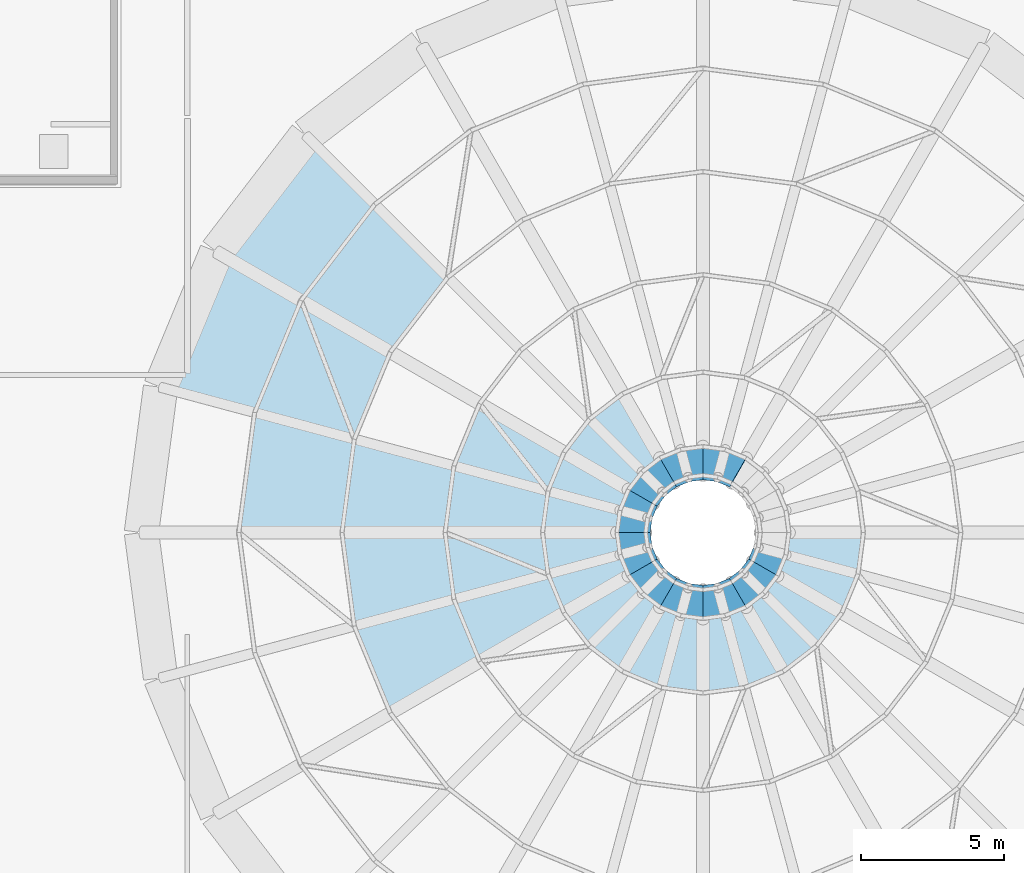
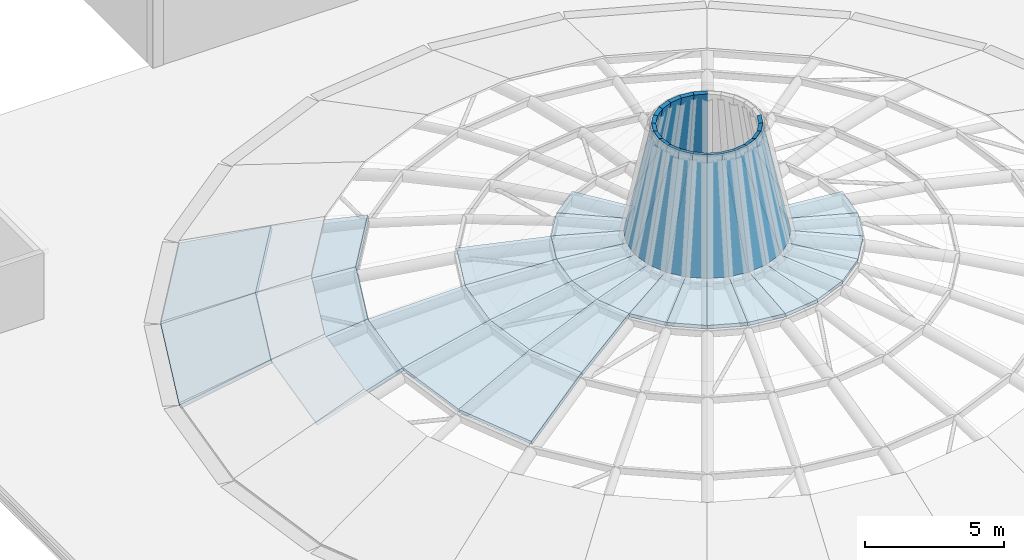
# One storey, part 18 of 25: 47 slabs.
"""IFC4 building model written with IfcOpenShell, lengths in metres."""

from ifc_helpers import new_model, si_unit, direction, frame, origin, place, context, subcontext, project, spatial, polyline, outline, extrude, material, layer, layer_set, type_object, element, save


model = new_model("IFC4")

# Units and contexts
model_context = context("Model", 3, precision=1e-05, world=origin(), true_north=direction((0.0, 1.0)))
body_context = subcontext(model_context, "Body", "Model", "MODEL_VIEW")
ifc_project = project(units=[si_unit("LENGTHUNIT", "METRE"), si_unit("AREAUNIT", "SQUARE_METRE"), si_unit("VOLUMEUNIT", "CUBIC_METRE"), si_unit("PLANEANGLEUNIT", "RADIAN"), si_unit("MASSUNIT", "GRAM", prefix="KILO")], contexts=[model_context])

# Site, building, storey
site_placement = place(None, origin())
site = spatial("IfcSite", under=ifc_project, at=site_placement, CompositionType="ELEMENT")
building_placement = place(site_placement, origin())
building = spatial("IfcBuilding", under=site, at=building_placement, Name="Marnock Terrace Opera House", CompositionType="ELEMENT")
storey_placement = place(building_placement, frame((0.0, 0.0, 28.199951171875)))
storey = spatial("IfcBuildingStorey", under=building, at=storey_placement, Name="RF", CompositionType="ELEMENT", Elevation=28.199951171875)

# Slabs
ifc_material = material(Name="Steel Grade 350 (AS/NZS 3679.1)", Category="steel")
ifc_layer = layer(ifc_material, 0.159912109375)
ifc_layer_set = layer_set([ifc_layer], Name="Steel Grade 350 (AS/NZS 3679.1)")
slab_type = type_object("IfcSlabType", Name="SL-CANOPY-160", PredefinedType="ROOF", material=ifc_layer_set)
slab_1_placement = place(storey_placement, frame((83.5, 63.09814453125, 4.09033203125), z_axis=(0.374475567418, 0.904158994644, 0.205583466774), x_axis=(-0.923896542167, 0.382642363262, 3.4766354e-05)))
element("IfcSlab", 1, at=slab_1_placement, inside=storey, type_object=slab_type, Name="Auditorium dome structural composite shell facet 5.6", PredefinedType="ROOF", context=body_context, shape_type="SweptSolid", body=[
    extrude(outline(polyline([(0.0, 0.0), (0.7831864088638076, 2.0816681711721685e-17), (0.652881049682843, 4.822719147483325), (0.13066335856125288, 4.822765522208235), (0.0, 0.0)])), origin(), (0.0, 0.0, -1.0), 0.159912109375),
])
slab_2_placement = place(storey_placement, frame((82.7763671875, 63.397705078125, 4.09033203125), z_axis=(0.127782069208, 0.970264995415, 0.205566489149), x_axis=(-0.991438666638, 0.130573236693, -1.2436782e-05)))
element("IfcSlab", 2, at=slab_2_placement, inside=storey, type_object=slab_type, Name="Auditorium dome structural composite shell facet 6.6", PredefinedType="ROOF", context=body_context, shape_type="SweptSolid", body=[
    extrude(outline(polyline([(0.0, 0.0), (0.7830774282429332, -3.469446951953614e-18), (0.6524454933396087, 4.8227330550329), (0.13040450058819125, 4.822716469341437), (0.0, 0.0)])), origin(), (0.0, 0.0, -1.0), 0.159912109375),
])
slab_3_placement = place(storey_placement, frame((82.0, 63.5, 4.09033203125), z_axis=(-0.127782069208, 0.970264995415, 0.205566489149), x_axis=(-0.991438666638, -0.130573236693, 1.2436782e-05)))
element("IfcSlab", 3, at=slab_3_placement, inside=storey, type_object=slab_type, Name="Auditorium dome structural composite shell facet 7.6", PredefinedType="ROOF", context=body_context, shape_type="SweptSolid", body=[
    extrude(outline(polyline([(0.0, 0.0), (0.7830774282429332, 3.469446951953614e-18), (0.6526729276547419, 4.822716469341437), (0.13063193490332464, 4.8227330550329), (0.0, 0.0)])), origin(), (0.0, 0.0, -1.0), 0.159912109375),
])
slab_4_placement = place(storey_placement, frame((81.2236328125, 63.397705078125, 4.09033203125), z_axis=(-0.374475567418, 0.904158994644, 0.205583466774), x_axis=(-0.923896542167, -0.382642363262, -3.4766354e-05)))
element("IfcSlab", 4, at=slab_4_placement, inside=storey, type_object=slab_type, Name="Auditorium dome structural composite shell facet 8.6", PredefinedType="ROOF", context=body_context, shape_type="SweptSolid", body=[
    extrude(outline(polyline([(0.0, 0.0), (0.7831864088638076, -2.0816681711721685e-17), (0.6525230503025549, 4.822765522208235), (0.13030535918096472, 4.822719147483325), (0.0, 0.0)])), origin(), (0.0, 0.0, -1.0), 0.159912109375),
])
slab_5_placement = place(storey_placement, frame((79.199951171875, 65.349853515625, 3.856201171875), z_axis=(-0.055074678697, 0.071757417591, 0.995900423128), x_axis=(-0.793257011145, -0.608886947022, 3.79547e-06)))
element("IfcSlab", 5, at=slab_5_placement, inside=storey, type_object=slab_type, Name="Auditorium dome structural composite shell facet 9.5", PredefinedType="ROOF", context=body_context, shape_type="SweptSolid", body=[
    extrude(outline(polyline([(0.0, 0.0), (1.461907375923908, 1.1102230246251565e-16), (1.122966227733173, 2.588283246330215), (0.3397642499744342, 2.5883774492033087), (0.0, 0.0)])), origin(), (0.0, 0.0, -1.0), 0.159912109375),
])
slab_6_placement = place(storey_placement, frame((80.5, 63.09814453125, 4.09033203125), z_axis=(-0.595642956884, 0.776495827628, 0.205581364889), x_axis=(-0.793438971, -0.608649815488, 3.7490848e-05)))
element("IfcSlab", 6, at=slab_6_placement, inside=storey, type_object=slab_type, Name="Auditorium dome structural composite shell facet 9.6", PredefinedType="ROOF", context=body_context, shape_type="SweptSolid", body=[
    extrude(outline(polyline([(0.0, 0.0), (0.7832019704204041, 2.7755575615628914e-17), (0.6527272093613997, 4.822715160368459), (0.1306765883320632, 4.8227651634590885), (0.0, 0.0)])), origin(), (0.0, 0.0, -1.0), 0.159912109375),
])
slab_7_placement = place(storey_placement, frame((68.140625, 74.359375, 0.0), z_axis=(-0.29826193601, 0.228864891661, 0.926639454638), x_axis=(-0.608752619373, -0.79336010007, 4.897854e-06)))
element("IfcSlab", 7, at=slab_7_placement, inside=storey, type_object=slab_type, Name="Auditorium dome structural composite shell facet 10.1", PredefinedType="ROOF", context=body_context, shape_type="SweptSolid", body=[
    extrude(outline(polyline([(0.0, 0.0), (5.116617261186224, 4.440892098500626e-16), (4.672776556182183, 3.637846656157696), (0.4438578876164122, 3.6379684088453303), (0.0, 0.0)])), origin(), (0.0, 0.0, -1.0), 0.159912109375),
])
slab_8_placement = place(storey_placement, frame((70.544921875, 71.955078125, 1.36767578125), z_axis=(-0.240038476037, 0.184199808034, 0.953127463009), x_axis=(-0.608776634926, -0.79334167214, 3.743486e-06)))
element("IfcSlab", 8, at=slab_8_placement, inside=storey, type_object=slab_type, Name="Auditorium dome structural composite shell facet 10.2", PredefinedType="ROOF", context=body_context, shape_type="SweptSolid", body=[
    extrude(outline(polyline([(0.0, 0.0), (4.228918670372289, -4.440892098500626e-16), (3.7590084882921224, 3.744740288991067), (0.4698430216180026, 3.7448333052382585), (0.0, 0.0)])), origin(), (0.0, 0.0, -1.0), 0.159912109375),
])
slab_9_placement = place(storey_placement, frame((78.040283203125, 64.459716796875, 3.856201171875), z_axis=(-0.071757417591, 0.055074678697, 0.995900423128), x_axis=(-0.608886947022, -0.793257011145, -3.79547e-06)))
element("IfcSlab", 9, at=slab_9_placement, inside=storey, type_object=slab_type, Name="Auditorium dome structural composite shell facet 10.5", PredefinedType="ROOF", context=body_context, shape_type="SweptSolid", body=[
    extrude(outline(polyline([(0.0, 0.0), (1.461907375923908, -1.1102230246251565e-16), (1.1221431259494739, 2.5883774492033083), (0.3389411481907352, 2.588283246330215), (0.0, 0.0)])), origin(), (0.0, 0.0, -1.0), 0.159912109375),
])
slab_10_placement = place(storey_placement, frame((79.878662109375, 62.621337890625, 4.09033203125), z_axis=(-0.776495827628, 0.595642956884, 0.205581364889), x_axis=(-0.608649815488, -0.793438971, -3.7490848e-05)))
element("IfcSlab", 10, at=slab_10_placement, inside=storey, type_object=slab_type, Name="Auditorium dome structural composite shell facet 10.6", PredefinedType="ROOF", context=body_context, shape_type="SweptSolid", body=[
    extrude(outline(polyline([(0.0, 0.0), (0.7832019704204041, -2.7755575615628914e-17), (0.6525253820883409, 4.8227651634590885), (0.13047476105900446, 4.822715160368459), (0.0, 0.0)])), origin(), (0.0, 0.0, -1.0), 0.159912109375),
])
slab_11_placement = place(storey_placement, frame((65.02587890625, 70.300048828125, 0.0), z_axis=(-0.347343037606, 0.143869374216, 0.926636076024), x_axis=(-0.382667294921, -0.923886216691, 2.278383e-06)))
element("IfcSlab", 11, at=slab_11_placement, inside=storey, type_object=slab_type, Name="Auditorium dome structural composite shell facet 11.1", PredefinedType="ROOF", context=body_context, shape_type="SweptSolid", body=[
    extrude(outline(polyline([(0.0, 0.0), (5.116748173599901, 0.0), (4.672914735409326, 3.6377986344936635), (0.4437700796566124, 3.6378552722876294), (0.0, 0.0)])), origin(), (0.0, 0.0, -1.0), 0.159912109375),
])
slab_12_placement = place(storey_placement, frame((67.970458984375, 68.60009765625, 1.36767578125), z_axis=(-0.279543308706, 0.115792692457, 0.953125170652), x_axis=(-0.382680659252, -0.923880681163, 2.952305e-06)))
element("IfcSlab", 12, at=slab_12_placement, inside=storey, type_object=slab_type, Name="Auditorium dome structural composite shell facet 11.2", PredefinedType="ROOF", context=body_context, shape_type="SweptSolid", body=[
    extrude(outline(polyline([(0.0, 0.0), (4.2291446561303925, -2.220446049250313e-16), (3.7591792633669576, 3.74466074673602), (0.46995945928101884, 3.7447341051070744), (0.0, 0.0)])), origin(), (0.0, 0.0, -1.0), 0.159912109375),
])
slab_13_placement = place(storey_placement, frame((74.205810546875, 65.0, 3.332763671875), z_axis=(-0.141765848874, 0.058719349731, 0.988157114056), x_axis=(-0.382702850106, -0.923871489167, -5.121992e-06)))
element("IfcSlab", 13, at=slab_13_placement, inside=storey, type_object=slab_type, Name="Auditorium dome structural composite shell facet 11.4", PredefinedType="ROOF", context=body_context, shape_type="SweptSolid", body=[
    extrude(outline(polyline([(0.0, 0.0), (2.3495205095504654, -2.220446049250313e-16), (1.9055515461194905, 3.4112913037863635), (0.4437279846787492, 3.411164081583303), (0.0, 0.0)])), origin(), (0.0, 0.0, -1.0), 0.159912109375),
])
slab_14_placement = place(storey_placement, frame((77.150146484375, 63.300048828125, 3.856201171875), z_axis=(-0.083570615643, 0.034604687598, 0.995900832311), x_axis=(-0.382621836577, -0.923905043906, -4.515537e-06)))
element("IfcSlab", 14, at=slab_14_placement, inside=storey, type_object=slab_type, Name="Auditorium dome structural composite shell facet 11.5", PredefinedType="ROOF", context=body_context, shape_type="SweptSolid", body=[
    extrude(outline(polyline([(0.0, 0.0), (1.4618235670125055, 0.0), (1.1227539973792038, 2.588515332254588), (0.3395675853635959, 2.588403256848199), (0.0, 0.0)])), origin(), (0.0, 0.0, -1.0), 0.159912109375),
])
slab_15_placement = place(storey_placement, frame((79.40185546875, 62.0, 4.09033203125), z_axis=(-0.904158994644, 0.374475567418, 0.205583466774), x_axis=(-0.382642363262, -0.923896542167, 3.4766354e-05)))
element("IfcSlab", 15, at=slab_15_placement, inside=storey, type_object=slab_type, Name="Auditorium dome structural composite shell facet 11.6", PredefinedType="ROOF", context=body_context, shape_type="SweptSolid", body=[
    extrude(outline(polyline([(0.0, 0.0), (0.7831864088638076, 2.0816681711721685e-17), (0.652881049682843, 4.822719147483325), (0.13066335856125288, 4.822765522208235), (0.0, 0.0)])), origin(), (0.0, 0.0, -1.0), 0.159912109375),
])
slab_16_placement = place(storey_placement, frame((66.35205078125, 64.69287109375, 1.36767578125), z_axis=(-0.299991977865, 0.039498485229, 0.953123645117), x_axis=(-0.130527320416, -0.991444712837, 3.583301e-06)))
element("IfcSlab", 16, at=slab_16_placement, inside=storey, type_object=slab_type, Name="Auditorium dome structural composite shell facet 12.2", PredefinedType="ROOF", context=body_context, shape_type="SweptSolid", body=[
    extrude(outline(polyline([(0.0, 0.0), (4.229051213310776, 0.0), (3.7591760401084025, 3.744593436700083), (0.46979224355405136, 3.7446824733688873), (0.0, 0.0)])), origin(), (0.0, 0.0, -1.0), 0.159912109375),
])
slab_17_placement = place(storey_placement, frame((69.829345703125, 63.76123046875, 2.500732421875), z_axis=(-0.225082224299, 0.029635482172, 0.973888972368), x_axis=(-0.130553532437, -0.991441261576, -3.531859e-06)))
element("IfcSlab", 17, at=slab_17_placement, inside=storey, type_object=slab_type, Name="Auditorium dome structural composite shell facet 12.3", PredefinedType="ROOF", context=body_context, shape_type="SweptSolid", body=[
    extrude(outline(polyline([(0.0, 0.0), (3.289383797776162, -5.551115123125783e-17), (2.8193753930162853, 3.6649790224264693), (0.46993293368056516, 3.664891298357737), (0.0, 0.0)])), origin(), (0.0, 0.0, -1.0), 0.159912109375),
])
slab_18_placement = place(storey_placement, frame((73.306640625, 62.829345703125, 3.332763671875), z_axis=(-0.152130426981, 0.020031128711, 0.988157420186), x_axis=(-0.130516988464, -0.991446073019, 4.228795e-06)))
element("IfcSlab", 18, at=slab_18_placement, inside=storey, type_object=slab_type, Name="Auditorium dome structural composite shell facet 12.4", PredefinedType="ROOF", context=body_context, shape_type="SweptSolid", body=[
    extrude(outline(polyline([(0.0, 0.0), (2.3494424609822224, 5.551115123125783e-17), (1.90569965951369, 3.4112190034482923), (0.44371733029213695, 3.411324043626475), (0.0, 0.0)])), origin(), (0.0, 0.0, -1.0), 0.159912109375),
])
slab_19_placement = place(storey_placement, frame((76.5908203125, 61.949462890625, 3.856201171875), z_axis=(-0.089677052395, 0.011813331132, 0.99590083416), x_axis=(-0.130588548151, -0.991436650064, 1.379021e-06)))
element("IfcSlab", 19, at=slab_19_placement, inside=storey, type_object=slab_type, Name="Auditorium dome structural composite shell facet 12.5", PredefinedType="ROOF", context=body_context, shape_type="SweptSolid", body=[
    extrude(outline(polyline([(0.0, 0.0), (1.4619823330281758, 2.7755575615628914e-17), (1.1224396779192098, 2.5884427493583617), (0.3393622489938082, 2.5884769773683693), (0.0, 0.0)])), origin(), (0.0, 0.0, -1.0), 0.159912109375),
])
slab_20_placement = place(storey_placement, frame((79.102294921875, 61.2763671875, 4.09033203125), z_axis=(-0.970264995415, 0.127782069208, 0.205566489149), x_axis=(-0.130573236693, -0.991438666638, -1.2436782e-05)))
element("IfcSlab", 20, at=slab_20_placement, inside=storey, type_object=slab_type, Name="Auditorium dome structural composite shell facet 12.6", PredefinedType="ROOF", context=body_context, shape_type="SweptSolid", body=[
    extrude(outline(polyline([(0.0, 0.0), (0.7830774282429332, -3.469446951953614e-18), (0.6524454933396087, 4.8227330550329), (0.13040450058819125, 4.822716469341437), (0.0, 0.0)])), origin(), (0.0, 0.0, -1.0), 0.159912109375),
])
slab_21_placement = place(storey_placement, frame((69.39990234375, 60.5, 2.500732421875), z_axis=(-0.225082224299, -0.029635482172, 0.973888972368), x_axis=(0.130553532437, -0.991441261576, 3.531859e-06)))
element("IfcSlab", 21, at=slab_21_placement, inside=storey, type_object=slab_type, Name="Auditorium dome structural composite shell facet 13.3", PredefinedType="ROOF", context=body_context, shape_type="SweptSolid", body=[
    extrude(outline(polyline([(0.0, 0.0), (3.289383797776162, 5.551115123125783e-17), (2.8194508640955966, 3.664891298357737), (0.4700084047598771, 3.6649790224264693), (0.0, 0.0)])), origin(), (0.0, 0.0, -1.0), 0.159912109375),
])
slab_22_placement = place(storey_placement, frame((73.0, 60.5, 3.332763671875), z_axis=(-0.152130426981, -0.020031128711, 0.988157420186), x_axis=(0.130516988464, -0.991446073019, -4.228795e-06)))
element("IfcSlab", 22, at=slab_22_placement, inside=storey, type_object=slab_type, Name="Auditorium dome structural composite shell facet 13.4", PredefinedType="ROOF", context=body_context, shape_type="SweptSolid", body=[
    extrude(outline(polyline([(0.0, 0.0), (2.3494424609822224, -5.551115123125783e-17), (1.905725130690085, 3.411324043626475), (0.44374280146853234, 3.4112190034482923), (0.0, 0.0)])), origin(), (0.0, 0.0, -1.0), 0.159912109375),
])
slab_23_placement = place(storey_placement, frame((76.39990234375, 60.5, 3.856201171875), z_axis=(-0.089677052395, -0.011813331132, 0.99590083416), x_axis=(0.130588548151, -0.991436650064, -1.379021e-06)))
element("IfcSlab", 23, at=slab_23_placement, inside=storey, type_object=slab_type, Name="Auditorium dome structural composite shell facet 13.5", PredefinedType="ROOF", context=body_context, shape_type="SweptSolid", body=[
    extrude(outline(polyline([(0.0, 0.0), (1.4619823330281758, -2.7755575615628914e-17), (1.1226200840343679, 2.5884769773683693), (0.33954265510896603, 2.5884427493583617), (0.0, 0.0)])), origin(), (0.0, 0.0, -1.0), 0.159912109375),
])
slab_24_placement = place(storey_placement, frame((79.0, 60.5, 4.09033203125), z_axis=(-0.970264995415, -0.127782069208, 0.205566489149), x_axis=(0.130573236693, -0.991438666638, 1.2436782e-05)))
element("IfcSlab", 24, at=slab_24_placement, inside=storey, type_object=slab_type, Name="Auditorium dome structural composite shell facet 13.6", PredefinedType="ROOF", context=body_context, shape_type="SweptSolid", body=[
    extrude(outline(polyline([(0.0, 0.0), (0.7830774282429332, 3.469446951953614e-18), (0.6526729276547419, 4.822716469341437), (0.13063193490332464, 4.8227330550329), (0.0, 0.0)])), origin(), (0.0, 0.0, -1.0), 0.159912109375),
])
slab_25_placement = place(storey_placement, frame((69.829345703125, 57.23876953125, 2.500732421875), z_axis=(-0.209743362037, -0.086883568143, 0.973888580726), x_axis=(0.382701458301, -0.923872065718, -2.16716e-07)))
element("IfcSlab", 25, at=slab_25_placement, inside=storey, type_object=slab_type, Name="Auditorium dome structural composite shell facet 14.3", PredefinedType="ROOF", context=body_context, shape_type="SweptSolid", body=[
    extrude(outline(polyline([(0.0, 0.0), (3.289219804929987, 2.220446049250313e-16), (2.8193438633762957, 3.6649107303114556), (0.46982335380054696, 3.6649053476592353), (0.0, 0.0)])), origin(), (0.0, 0.0, -1.0), 0.159912109375),
])
slab_26_placement = place(storey_placement, frame((73.306640625, 58.170654296875, 3.332763671875), z_axis=(-0.141765848874, -0.058719349731, 0.988157114056), x_axis=(0.382702850106, -0.923871489167, 5.121992e-06)))
element("IfcSlab", 26, at=slab_26_placement, inside=storey, type_object=slab_type, Name="Auditorium dome structural composite shell facet 14.4", PredefinedType="ROOF", context=body_context, shape_type="SweptSolid", body=[
    extrude(outline(polyline([(0.0, 0.0), (2.3495205095504654, 2.220446049250313e-16), (1.9057925248717162, 3.411164081583303), (0.443968963430975, 3.411291303786364), (0.0, 0.0)])), origin(), (0.0, 0.0, -1.0), 0.159912109375),
])
slab_27_placement = place(storey_placement, frame((76.5908203125, 59.050537109375, 3.856201171875), z_axis=(-0.083570615643, -0.034604687598, 0.995900832311), x_axis=(0.382621836577, -0.923905043906, 4.515537e-06)))
element("IfcSlab", 27, at=slab_27_placement, inside=storey, type_object=slab_type, Name="Auditorium dome structural composite shell facet 14.5", PredefinedType="ROOF", context=body_context, shape_type="SweptSolid", body=[
    extrude(outline(polyline([(0.0, 0.0), (1.4618235670125055, 0.0), (1.1222559816489095, 2.588403256848199), (0.3390695696333019, 2.588515332254588), (0.0, 0.0)])), origin(), (0.0, 0.0, -1.0), 0.159912109375),
])
slab_28_placement = place(storey_placement, frame((79.102294921875, 59.7236328125, 4.09033203125), z_axis=(-0.904158994644, -0.374475567418, 0.205583466774), x_axis=(0.382642363262, -0.923896542167, -3.4766354e-05)))
element("IfcSlab", 28, at=slab_28_placement, inside=storey, type_object=slab_type, Name="Auditorium dome structural composite shell facet 14.6", PredefinedType="ROOF", context=body_context, shape_type="SweptSolid", body=[
    extrude(outline(polyline([(0.0, 0.0), (0.7831864088638076, -2.0816681711721685e-17), (0.6525230503025549, 4.822765522208235), (0.13030535918096472, 4.822719147483325), (0.0, 0.0)])), origin(), (0.0, 0.0, -1.0), 0.159912109375),
])
slab_29_placement = place(storey_placement, frame((77.150146484375, 57.699951171875, 3.856201171875), z_axis=(-0.071757417591, -0.055074678697, 0.995900423128), x_axis=(0.608886947022, -0.793257011145, 3.79547e-06)))
element("IfcSlab", 29, at=slab_29_placement, inside=storey, type_object=slab_type, Name="Auditorium dome structural composite shell facet 15.5", PredefinedType="ROOF", context=body_context, shape_type="SweptSolid", body=[
    extrude(outline(polyline([(0.0, 0.0), (1.461907375923908, 1.1102230246251565e-16), (1.122966227733173, 2.588283246330215), (0.3397642499744342, 2.5883774492033087), (0.0, 0.0)])), origin(), (0.0, 0.0, -1.0), 0.159912109375),
])
slab_30_placement = place(storey_placement, frame((79.40185546875, 59.0, 4.09033203125), z_axis=(-0.776495827628, -0.595642956884, 0.205581364889), x_axis=(0.608649815488, -0.793438971, 3.7490848e-05)))
element("IfcSlab", 30, at=slab_30_placement, inside=storey, type_object=slab_type, Name="Auditorium dome structural composite shell facet 15.6", PredefinedType="ROOF", context=body_context, shape_type="SweptSolid", body=[
    extrude(outline(polyline([(0.0, 0.0), (0.7832019704204041, 2.7755575615628914e-17), (0.6527272093613997, 4.822715160368459), (0.1306765883320632, 4.8227651634590885), (0.0, 0.0)])), origin(), (0.0, 0.0, -1.0), 0.159912109375),
])
slab_31_placement = place(storey_placement, frame((78.040283203125, 56.540283203125, 3.856201171875), z_axis=(-0.055074678697, -0.071757417591, 0.995900423128), x_axis=(0.793257011145, -0.608886947022, -3.79547e-06)))
element("IfcSlab", 31, at=slab_31_placement, inside=storey, type_object=slab_type, Name="Auditorium dome structural composite shell facet 16.5", PredefinedType="ROOF", context=body_context, shape_type="SweptSolid", body=[
    extrude(outline(polyline([(0.0, 0.0), (1.461907375923908, -1.1102230246251565e-16), (1.1221431259494739, 2.5883774492033083), (0.3389411481907352, 2.588283246330215), (0.0, 0.0)])), origin(), (0.0, 0.0, -1.0), 0.159912109375),
])
slab_32_placement = place(storey_placement, frame((79.878662109375, 58.378662109375, 4.09033203125), z_axis=(-0.595642956884, -0.776495827628, 0.205581364889), x_axis=(0.793438971, -0.608649815488, -3.7490848e-05)))
element("IfcSlab", 32, at=slab_32_placement, inside=storey, type_object=slab_type, Name="Auditorium dome structural composite shell facet 16.6", PredefinedType="ROOF", context=body_context, shape_type="SweptSolid", body=[
    extrude(outline(polyline([(0.0, 0.0), (0.7832019704204041, -2.7755575615628914e-17), (0.6525253820883409, 4.8227651634590885), (0.13047476105900446, 4.822715160368459), (0.0, 0.0)])), origin(), (0.0, 0.0, -1.0), 0.159912109375),
])
slab_33_placement = place(storey_placement, frame((79.199951171875, 55.650146484375, 3.856201171875), z_axis=(-0.034604687598, -0.083570615643, 0.995900832311), x_axis=(0.923905043906, -0.382621836577, -4.515537e-06)))
element("IfcSlab", 33, at=slab_33_placement, inside=storey, type_object=slab_type, Name="Auditorium dome structural composite shell facet 17.5", PredefinedType="ROOF", context=body_context, shape_type="SweptSolid", body=[
    extrude(outline(polyline([(0.0, 0.0), (1.4618235670125055, 0.0), (1.1227539973792038, 2.588515332254588), (0.3395675853635959, 2.588403256848199), (0.0, 0.0)])), origin(), (0.0, 0.0, -1.0), 0.159912109375),
])
slab_34_placement = place(storey_placement, frame((80.5, 57.90185546875, 4.09033203125), z_axis=(-0.374475567418, -0.904158994644, 0.205583466774), x_axis=(0.923896542167, -0.382642363262, 3.4766354e-05)))
element("IfcSlab", 34, at=slab_34_placement, inside=storey, type_object=slab_type, Name="Auditorium dome structural composite shell facet 17.6", PredefinedType="ROOF", context=body_context, shape_type="SweptSolid", body=[
    extrude(outline(polyline([(0.0, 0.0), (0.7831864088638076, 2.0816681711721685e-17), (0.652881049682843, 4.822719147483325), (0.13066335856125288, 4.822765522208235), (0.0, 0.0)])), origin(), (0.0, 0.0, -1.0), 0.159912109375),
])
slab_35_placement = place(storey_placement, frame((80.550537109375, 55.0908203125, 3.856201171875), z_axis=(-0.011813331132, -0.089677052395, 0.99590083416), x_axis=(0.991436650064, -0.130588548151, 1.379021e-06)))
element("IfcSlab", 35, at=slab_35_placement, inside=storey, type_object=slab_type, Name="Auditorium dome structural composite shell facet 18.5", PredefinedType="ROOF", context=body_context, shape_type="SweptSolid", body=[
    extrude(outline(polyline([(0.0, 0.0), (1.4619823330281758, 2.7755575615628914e-17), (1.1224396779192098, 2.5884427493583617), (0.3393622489938082, 2.5884769773683693), (0.0, 0.0)])), origin(), (0.0, 0.0, -1.0), 0.159912109375),
])
slab_36_placement = place(storey_placement, frame((81.2236328125, 57.602294921875, 4.09033203125), z_axis=(-0.127782069208, -0.970264995415, 0.205566489149), x_axis=(0.991438666638, -0.130573236693, -1.2436782e-05)))
element("IfcSlab", 36, at=slab_36_placement, inside=storey, type_object=slab_type, Name="Auditorium dome structural composite shell facet 18.6", PredefinedType="ROOF", context=body_context, shape_type="SweptSolid", body=[
    extrude(outline(polyline([(0.0, 0.0), (0.7830774282429332, -3.469446951953614e-18), (0.6524454933396087, 4.8227330550329), (0.13040450058819125, 4.822716469341437), (0.0, 0.0)])), origin(), (0.0, 0.0, -1.0), 0.159912109375),
])
slab_37_placement = place(storey_placement, frame((82.0, 54.89990234375, 3.856201171875), z_axis=(0.011813331132, -0.089677052395, 0.99590083416), x_axis=(0.991436650064, 0.130588548151, -1.379021e-06)))
element("IfcSlab", 37, at=slab_37_placement, inside=storey, type_object=slab_type, Name="Auditorium dome structural composite shell facet 19.5", PredefinedType="ROOF", context=body_context, shape_type="SweptSolid", body=[
    extrude(outline(polyline([(0.0, 0.0), (1.4619823330281758, -2.7755575615628914e-17), (1.1226200840343679, 2.5884769773683693), (0.33954265510896603, 2.5884427493583617), (0.0, 0.0)])), origin(), (0.0, 0.0, -1.0), 0.159912109375),
])
slab_38_placement = place(storey_placement, frame((82.0, 57.5, 4.09033203125), z_axis=(0.127782069208, -0.970264995415, 0.205566489149), x_axis=(0.991438666638, 0.130573236693, 1.2436782e-05)))
element("IfcSlab", 38, at=slab_38_placement, inside=storey, type_object=slab_type, Name="Auditorium dome structural composite shell facet 19.6", PredefinedType="ROOF", context=body_context, shape_type="SweptSolid", body=[
    extrude(outline(polyline([(0.0, 0.0), (0.7830774282429332, 3.469446951953614e-18), (0.6526729276547419, 4.822716469341437), (0.13063193490332464, 4.8227330550329), (0.0, 0.0)])), origin(), (0.0, 0.0, -1.0), 0.159912109375),
])
slab_39_placement = place(storey_placement, frame((83.449462890625, 55.0908203125, 3.856201171875), z_axis=(0.034604687598, -0.083570615643, 0.995900832311), x_axis=(0.923905043906, 0.382621836577, 4.515537e-06)))
element("IfcSlab", 39, at=slab_39_placement, inside=storey, type_object=slab_type, Name="Auditorium dome structural composite shell facet 20.5", PredefinedType="ROOF", context=body_context, shape_type="SweptSolid", body=[
    extrude(outline(polyline([(0.0, 0.0), (1.4618235670125055, 0.0), (1.1222559816489095, 2.588403256848199), (0.3390695696333019, 2.588515332254588), (0.0, 0.0)])), origin(), (0.0, 0.0, -1.0), 0.159912109375),
])
slab_40_placement = place(storey_placement, frame((82.7763671875, 57.602294921875, 4.09033203125), z_axis=(0.374475567418, -0.904158994644, 0.205583466774), x_axis=(0.923896542167, 0.382642363262, -3.4766354e-05)))
element("IfcSlab", 40, at=slab_40_placement, inside=storey, type_object=slab_type, Name="Auditorium dome structural composite shell facet 20.6", PredefinedType="ROOF", context=body_context, shape_type="SweptSolid", body=[
    extrude(outline(polyline([(0.0, 0.0), (0.7831864088638076, -2.0816681711721685e-17), (0.6525230503025549, 4.822765522208235), (0.13030535918096472, 4.822719147483325), (0.0, 0.0)])), origin(), (0.0, 0.0, -1.0), 0.159912109375),
])
slab_41_placement = place(storey_placement, frame((84.800048828125, 55.650146484375, 3.856201171875), z_axis=(0.055074678697, -0.071757417591, 0.995900423128), x_axis=(0.793257011145, 0.608886947022, 3.79547e-06)))
element("IfcSlab", 41, at=slab_41_placement, inside=storey, type_object=slab_type, Name="Auditorium dome structural composite shell facet 21.5", PredefinedType="ROOF", context=body_context, shape_type="SweptSolid", body=[
    extrude(outline(polyline([(0.0, 0.0), (1.461907375923908, 1.1102230246251565e-16), (1.122966227733173, 2.588283246330215), (0.3397642499744342, 2.5883774492033087), (0.0, 0.0)])), origin(), (0.0, 0.0, -1.0), 0.159912109375),
])
slab_42_placement = place(storey_placement, frame((83.5, 57.90185546875, 4.09033203125), z_axis=(0.595642956884, -0.776495827628, 0.205581364889), x_axis=(0.793438971, 0.608649815488, 3.7490848e-05)))
element("IfcSlab", 42, at=slab_42_placement, inside=storey, type_object=slab_type, Name="Auditorium dome structural composite shell facet 21.6", PredefinedType="ROOF", context=body_context, shape_type="SweptSolid", body=[
    extrude(outline(polyline([(0.0, 0.0), (0.7832019704204041, 2.7755575615628914e-17), (0.6527272093613997, 4.822715160368459), (0.1306765883320632, 4.8227651634590885), (0.0, 0.0)])), origin(), (0.0, 0.0, -1.0), 0.159912109375),
])
slab_43_placement = place(storey_placement, frame((85.959716796875, 56.540283203125, 3.856201171875), z_axis=(0.071757417591, -0.055074678697, 0.995900423128), x_axis=(0.608886947022, 0.793257011145, -3.79547e-06)))
element("IfcSlab", 43, at=slab_43_placement, inside=storey, type_object=slab_type, Name="Auditorium dome structural composite shell facet 22.5", PredefinedType="ROOF", context=body_context, shape_type="SweptSolid", body=[
    extrude(outline(polyline([(0.0, 0.0), (1.461907375923908, -1.1102230246251565e-16), (1.1221431259494739, 2.5883774492033083), (0.3389411481907352, 2.588283246330215), (0.0, 0.0)])), origin(), (0.0, 0.0, -1.0), 0.159912109375),
])
slab_44_placement = place(storey_placement, frame((84.121337890625, 58.378662109375, 4.09033203125), z_axis=(0.776495827628, -0.595642956884, 0.205581364889), x_axis=(0.608649815488, 0.793438971, -3.7490848e-05)))
element("IfcSlab", 44, at=slab_44_placement, inside=storey, type_object=slab_type, Name="Auditorium dome structural composite shell facet 22.6", PredefinedType="ROOF", context=body_context, shape_type="SweptSolid", body=[
    extrude(outline(polyline([(0.0, 0.0), (0.7832019704204041, -2.7755575615628914e-17), (0.6525253820883409, 4.8227651634590885), (0.13047476105900446, 4.822715160368459), (0.0, 0.0)])), origin(), (0.0, 0.0, -1.0), 0.159912109375),
])
slab_45_placement = place(storey_placement, frame((86.849853515625, 57.699951171875, 3.856201171875), z_axis=(0.083570615643, -0.034604687598, 0.995900832311), x_axis=(0.382621836577, 0.923905043906, -4.515537e-06)))
element("IfcSlab", 45, at=slab_45_placement, inside=storey, type_object=slab_type, Name="Auditorium dome structural composite shell facet 23.5", PredefinedType="ROOF", context=body_context, shape_type="SweptSolid", body=[
    extrude(outline(polyline([(0.0, 0.0), (1.4618235670125055, 0.0), (1.1227539973792038, 2.588515332254588), (0.3395675853635959, 2.588403256848199), (0.0, 0.0)])), origin(), (0.0, 0.0, -1.0), 0.159912109375),
])
slab_46_placement = place(storey_placement, frame((84.59814453125, 59.0, 4.09033203125), z_axis=(0.904158994644, -0.374475567418, 0.205583466774), x_axis=(0.382642363262, 0.923896542167, 3.4766354e-05)))
element("IfcSlab", 46, at=slab_46_placement, inside=storey, type_object=slab_type, Name="Auditorium dome structural composite shell facet 23.6", PredefinedType="ROOF", context=body_context, shape_type="SweptSolid", body=[
    extrude(outline(polyline([(0.0, 0.0), (0.7831864088638076, 2.0816681711721685e-17), (0.652881049682843, 4.822719147483325), (0.13066335856125288, 4.822765522208235), (0.0, 0.0)])), origin(), (0.0, 0.0, -1.0), 0.159912109375),
])
slab_47_placement = place(storey_placement, frame((87.4091796875, 59.050537109375, 3.856201171875), z_axis=(0.089677052395, -0.011813331132, 0.99590083416), x_axis=(0.130588548151, 0.991436650064, 1.379021e-06)))
element("IfcSlab", 47, at=slab_47_placement, inside=storey, type_object=slab_type, Name="Auditorium dome structural composite shell facet 24.5", PredefinedType="ROOF", context=body_context, shape_type="SweptSolid", body=[
    extrude(outline(polyline([(0.0, 0.0), (1.4619823330281758, 2.7755575615628914e-17), (1.1224396779192098, 2.5884427493583617), (0.3393622489938082, 2.5884769773683693), (0.0, 0.0)])), origin(), (0.0, 0.0, -1.0), 0.159912109375),
])

save(model, "model.ifc")
